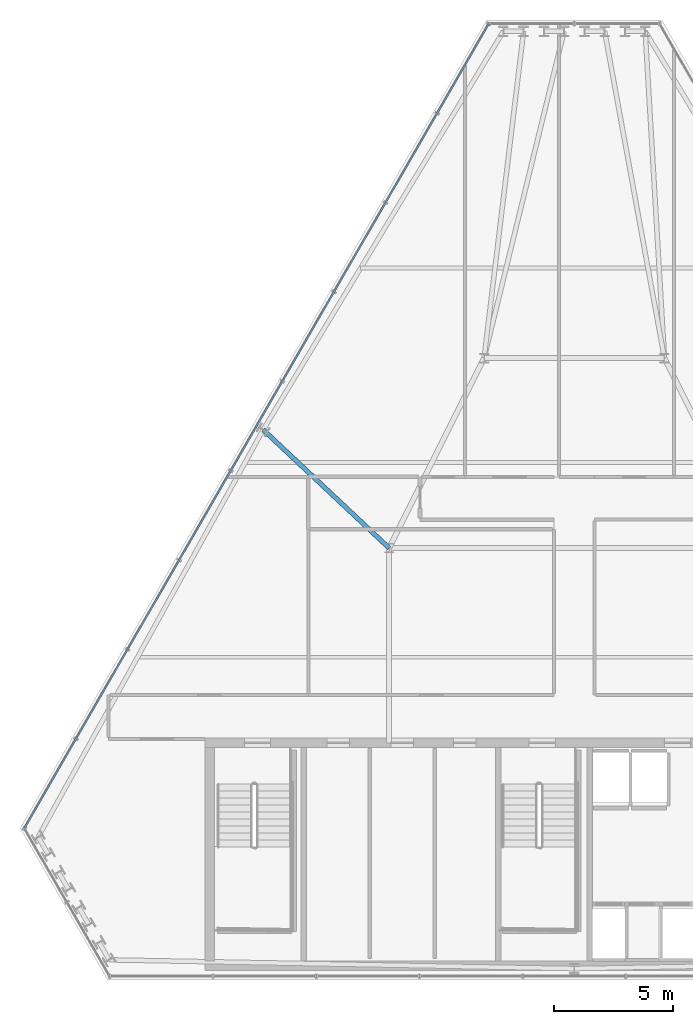
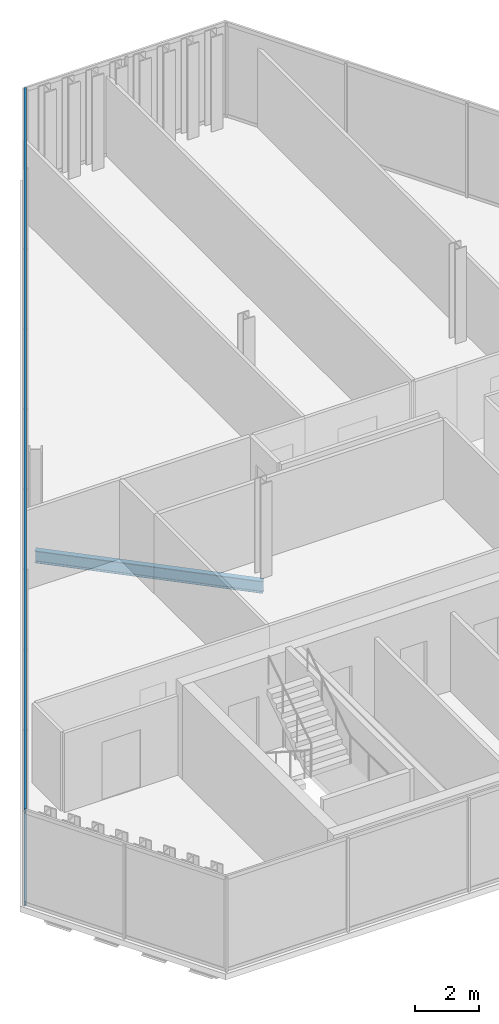
# One storey, part 11 of 29: 2 members, 1 beam, 1 element without a shape of its own.
"""IFC4 building model written with IfcOpenShell, lengths in metres."""

import ifcopenshell
import ifcopenshell.guid

model = None  # the IFC model being written
_history = None  # IfcOwnerHistory: only IFC2X3 demands one
_inside = {}  # id of a spatial element -> (the spatial element, [elements in it])
_under = {}  # id of a project, library or spatial element -> (it, [spatial elements below it])
_declared = {}  # id of a project -> (the project, [libraries it declares])
_typed = {}  # id of a type object -> (the type object, [elements of that type])
_made_of = {}  # id of a material, layer set ... -> (it, [elements and type objects made of it])


def new_model(schema):
    """Start an empty IFC model of exactly this schema.

    Asked for "IFC4X3", IfcOpenShell would pick the latest addendum, in which some entities
    have other attributes; the version numbers below select the first issue.
    IFC2X3 requires an IfcOwnerHistory on every rooted entity: one is made here for all.
    """
    global model, _history
    if schema == "IFC4X3":
        model = ifcopenshell.file(schema_version=(4, 3, 0, 0))
    else:
        model = ifcopenshell.file(schema=schema)
    _inside.clear()
    _under.clear()
    _declared.clear()
    _typed.clear()
    _made_of.clear()
    _history = None
    if model.schema == "IFC2X3":
        org = make("IfcOrganization", Name="unknown")
        user = make(
            "IfcPersonAndOrganization",
            ThePerson=make("IfcPerson", FamilyName="unknown"),
            TheOrganization=org,
        )
        app = make(
            "IfcApplication",
            ApplicationDeveloper=org,
            Version="unknown",
            ApplicationFullName="unknown",
            ApplicationIdentifier="unknown",
        )
        _history = make(
            "IfcOwnerHistory",
            OwningUser=user,
            OwningApplication=app,
            ChangeAction="ADDED",
            CreationDate=0,
        )
    return model


def make(cls, **values):
    """One entity of the class cls with the attributes given. An attribute that is None is left unset."""
    return model.create_entity(
        cls, **{name: value for name, value in values.items() if value is not None}
    )


def rooted(cls, **values):
    """An entity with a GlobalId (a new one), such as an element, a storey or a relation."""
    return make(cls, GlobalId=ifcopenshell.guid.new(), OwnerHistory=_history, **values)


def si_unit(unit_type, name, prefix=None):
    """IfcSIUnit, for example si_unit("LENGTHUNIT", "METRE", prefix="MILLI")."""
    return make("IfcSIUnit", UnitType=unit_type, Prefix=prefix, Name=name)


def assignment(units):
    """IfcUnitAssignment: the units of a project."""
    return None if units is None else make("IfcUnitAssignment", Units=units)


def point(xyz):
    """IfcCartesianPoint."""
    return None if xyz is None else make("IfcCartesianPoint", Coordinates=xyz)


def direction(xyz):
    """IfcDirection."""
    return None if xyz is None else make("IfcDirection", DirectionRatios=xyz)


def frame(location, z_axis=None, x_axis=None):
    """IfcAxis2Placement3D, a coordinate frame: its origin and axes. An axis left out is left unset."""
    return make(
        "IfcAxis2Placement3D",
        Location=point(location),
        Axis=direction(z_axis),
        RefDirection=direction(x_axis),
    )


def frame_2d(location, x_axis=None):
    """IfcAxis2Placement2D, a coordinate frame in the plane: its origin and x axis."""
    return make(
        "IfcAxis2Placement2D", Location=point(location), RefDirection=direction(x_axis)
    )


def origin():
    """The frame at (0, 0, 0) with its axes left unset."""
    return frame((0.0, 0.0, 0.0))


def origin_2d():
    """The frame at (0, 0) in the plane with its x axis left unset."""
    return frame_2d((0.0, 0.0))


def place(relative_to, where):
    """IfcLocalPlacement: puts the frame where relative to a parent placement (None: the world)."""
    return make(
        "IfcLocalPlacement", PlacementRelTo=relative_to, RelativePlacement=where
    )


def context(
    kind, dimensions, precision=None, world=None, true_north=None, identifier=None
):
    """IfcGeometricRepresentationContext, for example the 3D "Model" context."""
    return make(
        "IfcGeometricRepresentationContext",
        ContextIdentifier=identifier,
        ContextType=kind,
        CoordinateSpaceDimension=dimensions,
        Precision=precision,
        WorldCoordinateSystem=world,
        TrueNorth=true_north,
    )


def subcontext(parent, identifier, kind, view, scale=None):
    """IfcGeometricRepresentationSubContext, for example "Body" below "Model"."""
    return make(
        "IfcGeometricRepresentationSubContext",
        ContextIdentifier=identifier,
        ContextType=kind,
        ParentContext=parent,
        TargetScale=scale,
        TargetView=view,
    )


def project(units=None, contexts=None):
    """IfcProject with its units and contexts."""
    return rooted(
        "IfcProject",
        Name="project",
        RepresentationContexts=contexts,
        UnitsInContext=assignment(units),
    )


def spatial(cls, under=None, at=None, **own):
    """A site, building, storey or space (cls), placed at a placement, below another one or the project."""
    s = rooted(cls, ObjectPlacement=at, **own)
    if under is not None:
        _under.setdefault(under.id(), (under, []))[1].append(s)
    return s


def profile(cls, at=None, kind="AREA", **sizes):
    """A parametric profile (cls). Its sizes go by their IFC names, for example OverallWidth=200.0."""
    return make(cls, ProfileType=kind, Position=at, **sizes)


def hollow_rectangle(**sizes):
    """IfcRectangleHollowProfileDef."""
    return profile("IfcRectangleHollowProfileDef", **sizes)


def i_section(**sizes):
    """IfcIShapeProfileDef."""
    return profile("IfcIShapeProfileDef", **sizes)


def extrude(swept, where, along, depth):
    """IfcExtrudedAreaSolid: the profile swept, set in the frame where, extruded along a direction by depth."""
    return make(
        "IfcExtrudedAreaSolid",
        SweptArea=swept,
        Position=where,
        ExtrudedDirection=direction(along),
        Depth=depth,
    )


def shape(context_of_items, identifier, shape_type, items):
    """IfcShapeRepresentation: the items that make up one representation, for example the "Body"."""
    return make(
        "IfcShapeRepresentation",
        ContextOfItems=context_of_items,
        RepresentationIdentifier=identifier,
        RepresentationType=shape_type,
        Items=items,
    )


def material(Name=None, Category=None):
    """IfcMaterial."""
    return make("IfcMaterial", Name=Name, Category=Category)


def layer(
    of_material, thickness, ventilated=None, Name=None, Category=None, Priority=None
):
    """IfcMaterialLayer: one layer of a wall or slab, of a material (None: an air gap)."""
    return make(
        "IfcMaterialLayer",
        Material=of_material,
        LayerThickness=thickness,
        IsVentilated=ventilated,
        Name=Name,
        Category=Category,
        Priority=Priority,
    )


def layer_set(layers, Name=None):
    """IfcMaterialLayerSet."""
    return make("IfcMaterialLayerSet", MaterialLayers=layers, LayerSetName=Name)


def material_profile(
    of_material, cross_section, Name=None, Category=None, Priority=None
):
    """IfcMaterialProfile: a cross section and its material."""
    return make(
        "IfcMaterialProfile",
        Name=Name,
        Material=of_material,
        Profile=cross_section,
        Priority=Priority,
        Category=Category,
    )


def profile_set(profiles, Name=None, composite=None):
    """IfcMaterialProfileSet."""
    return make(
        "IfcMaterialProfileSet",
        Name=Name,
        MaterialProfiles=profiles,
        CompositeProfile=composite,
    )


def made_of(thing, what):
    """Note that an element or type object is made of a material, layer set ...; save() writes the relation."""
    if what is not None:
        _made_of.setdefault(what.id(), (what, []))[1].append(thing)
    return thing


def type_object(cls, material=None, **own):
    """A type object (cls), such as IfcWallType, which elements share."""
    return made_of(rooted(cls, **own), material)


def element(
    cls,
    number,
    at=None,
    inside=None,
    cuts=None,
    type_object=None,
    material=None,
    context=None,
    identifier="Body",
    shape_type=None,
    held_by="IfcProductDefinitionShape",
    body=None,
    shapes=None,
    **own,
):
    """One element of the class cls, such as IfcWall. Its Tag is "e" and its number.

    at: its placement. inside: the storey or other place that contains it. cuts: it is an
    opening in that element (IfcRelVoidsElement). A single representation is given by context,
    identifier, shape_type and body (its items); several are given by shapes. held_by: the class
    of the entity that holds the representations. save() writes the other relations.
    """
    e = rooted(cls, Tag="e%d" % number, ObjectPlacement=at, **own)
    if body is not None:
        shapes = [shape(context, identifier, shape_type, body)]
    if shapes is not None:
        e.Representation = make(held_by, Representations=shapes)
    if inside is not None:
        _inside.setdefault(inside.id(), (inside, []))[1].append(e)
    if cuts is not None:
        rooted(
            "IfcRelVoidsElement", RelatingBuildingElement=cuts, RelatedOpeningElement=e
        )
    if type_object is not None:
        _typed.setdefault(type_object.id(), (type_object, []))[1].append(e)
    return made_of(e, material)


def aggregate(whole, parts):
    """IfcRelAggregates: a whole, such as a stair, and the parts it consists of."""
    return rooted("IfcRelAggregates", RelatingObject=whole, RelatedObjects=parts)


def save(model, path):
    """Write the relations noted so far, then the file.

    IfcRelAggregates (storeys below a building ...), IfcRelContainedInSpatialStructure (elements
    in a storey), IfcRelDefinesByType, IfcRelAssociatesMaterial and IfcRelDeclares: one each for
    every whole, place, type object, material and project.
    """
    for whole, parts in _under.values():
        aggregate(whole, parts)
    for where, things in _inside.values():
        rooted(
            "IfcRelContainedInSpatialStructure",
            RelatedElements=things,
            RelatingStructure=where,
        )
    for kind, things in _typed.values():
        rooted("IfcRelDefinesByType", RelatedObjects=things, RelatingType=kind)
    for what, things in _made_of.values():
        rooted("IfcRelAssociatesMaterial", RelatedObjects=things, RelatingMaterial=what)
    for by, libraries in _declared.values():
        rooted("IfcRelDeclares", RelatingContext=by, RelatedDefinitions=libraries)
    model.write(path)


model = new_model("IFC4")

# Units and contexts
model_context = context("Model", 3, precision=1e-05, world=origin(), true_north=direction((0.0, 1.0)))
body_context = subcontext(model_context, "Body", "Model", "MODEL_VIEW")
ifc_project = project(units=[si_unit("LENGTHUNIT", "METRE"), si_unit("AREAUNIT", "SQUARE_METRE"), si_unit("VOLUMEUNIT", "CUBIC_METRE"), si_unit("PLANEANGLEUNIT", "RADIAN"), si_unit("MASSUNIT", "GRAM", prefix="KILO")], contexts=[model_context])

# Site, building, storey
site_placement = place(None, origin())
site = spatial("IfcSite", under=ifc_project, at=site_placement, CompositionType="ELEMENT")
building_placement = place(site_placement, origin())
building = spatial("IfcBuilding", under=site, at=building_placement, Name="Ndaravel Arena Tower", CompositionType="ELEMENT")
storey_placement = place(building_placement, frame((0.0, 0.0, 233.199951171875)))
storey = spatial("IfcBuildingStorey", under=building, at=storey_placement, Name="L56", CompositionType="ELEMENT", Elevation=233.199951171875)

# Beam
ifc_material_1 = material(Name="Steel S355", Category="steel")
ifc_material_profile_1 = material_profile(ifc_material_1, i_section(OverallWidth=0.19140625, OverallDepth=0.4599609375, WebThickness=0.010009765625, FlangeThickness=0.01611328125, FilletRadius=0.01025390625, at=origin_2d()), Name="UB 457x191x82")
ifc_profile_set_1 = profile_set([ifc_material_profile_1], Name="Steel S355")
beam_type = type_object("IfcBeamType", Name="BM-GIRD-UB457", PredefinedType="BEAM", material=ifc_profile_set_1)
beam_placement = place(storey_placement, frame((28.89306640625, 28.181884765625, -0.449951171875), z_axis=(0.729075765439, -0.684432997633, 0.0), x_axis=(0.684432997633, 0.729075765439, 0.0)))
element("IfcBeam", 1, at=beam_placement, inside=storey, type_object=beam_type, Name="L56 Radial Floor Girder FG-19", PredefinedType="BEAM", context=body_context, shape_type="SweptSolid", body=[
    extrude(i_section(OverallWidth=0.19140625, OverallDepth=0.4599609375, WebThickness=0.010009765625, FlangeThickness=0.01611328125, FilletRadius=0.01025390625, at=origin_2d()), origin(), (0.0, 0.0, 1.0), 7.27880859375),
])

# Curtain wall, members
ifc_material_2 = material(Name="Aluminium", Category="aluminium")
ifc_layer = layer(ifc_material_2, 0.179931640625)
ifc_layer_set = layer_set([ifc_layer], Name="Aluminium")
curtain_wall_type = type_object("IfcCurtainWallType", Name="CW-SYS-03", PredefinedType="NOTDEFINED", material=ifc_layer_set)
curtain_wall_placement = place(storey_placement, origin())
curtain_wall = element("IfcCurtainWall", 2, at=curtain_wall_placement, inside=storey, type_object=curtain_wall_type, Name="L56 Faceted Crystal Curtain Wall CW-L56-E05", PredefinedType="NOTDEFINED")
ifc_material_3 = material(Name="Aluminium", Category="aluminium")
ifc_material_profile_2 = material_profile(ifc_material_3, hollow_rectangle(XDim=0.074951171875, YDim=0.14990234375, WallThickness=0.00390625, at=origin_2d()), Name="CW TRANSOM 75x150x4")
ifc_profile_set_2 = profile_set([ifc_material_profile_2], Name="Aluminium")
member_type = type_object("IfcMemberType", Name="MEM-CW-TRN150", PredefinedType="USERDEFINED", material=ifc_profile_set_2)
member_1_placement = place(storey_placement, frame((38.400390625, 45.288818359375, 0.0400390625), z_axis=(-0.500000184703, -0.866025297146, 0.0), x_axis=(0.866025297146, -0.500000184703, 0.0)))
member_1 = element("IfcMember", 3, at=member_1_placement, type_object=member_type, Name="CW-L56-E05 Transom 01", ObjectType="TRANSOM", PredefinedType="USERDEFINED", context=body_context, shape_type="SweptSolid", body=[
    extrude(hollow_rectangle(XDim=0.074951171875, YDim=0.14990234375, WallThickness=0.00390625, at=origin_2d()), origin(), (0.0, 0.0, 1.0), 39.13720703125),
])
member_2_placement = place(storey_placement, frame((38.400390625, 45.288818359375, 3.5400390625), z_axis=(-0.500000184703, -0.866025297146, 0.0), x_axis=(0.866025297146, -0.500000184703, 0.0)))
member_2 = element("IfcMember", 4, at=member_2_placement, type_object=member_type, Name="CW-L56-E05 Transom 02", ObjectType="TRANSOM", PredefinedType="USERDEFINED", context=body_context, shape_type="SweptSolid", body=[
    extrude(hollow_rectangle(XDim=0.074951171875, YDim=0.14990234375, WallThickness=0.00390625, at=origin_2d()), origin(), (0.0, 0.0, 1.0), 39.13720703125),
])
aggregate(curtain_wall, [member_1, member_2])

save(model, "model.ifc")
